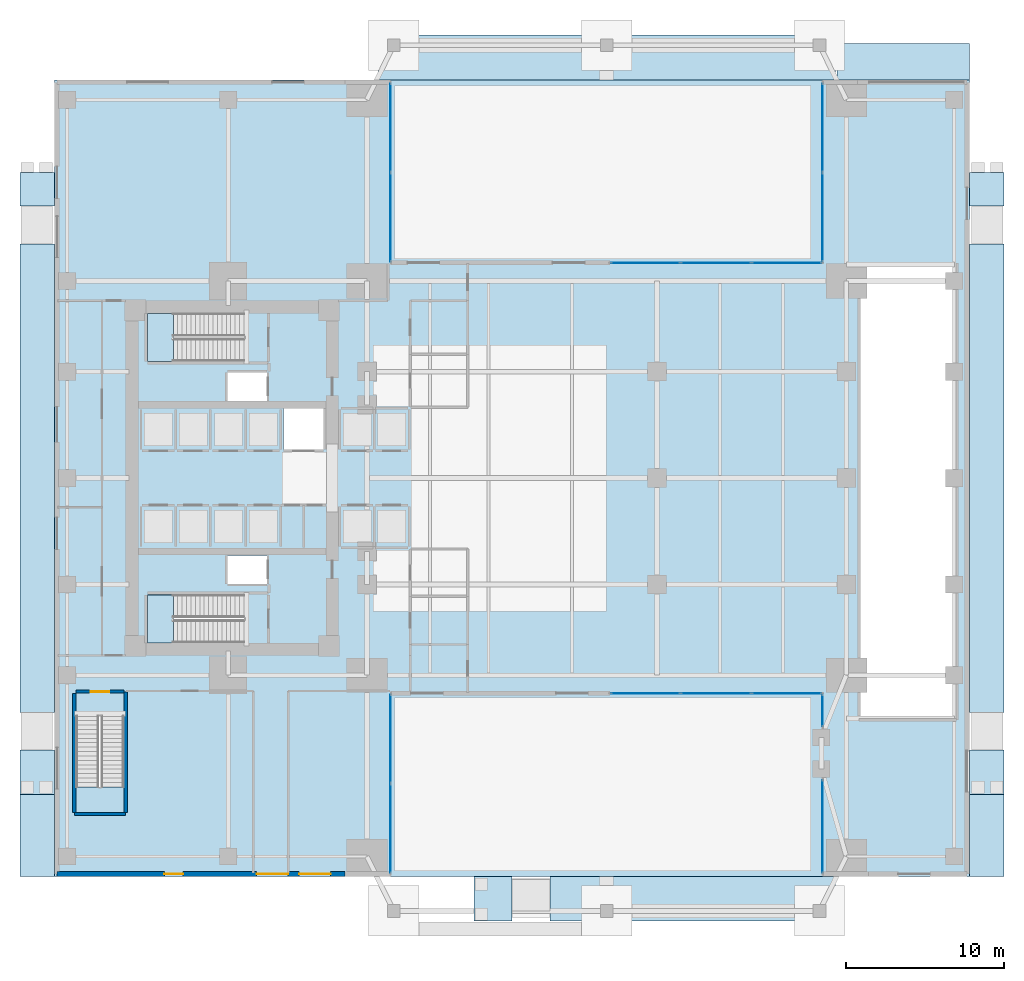
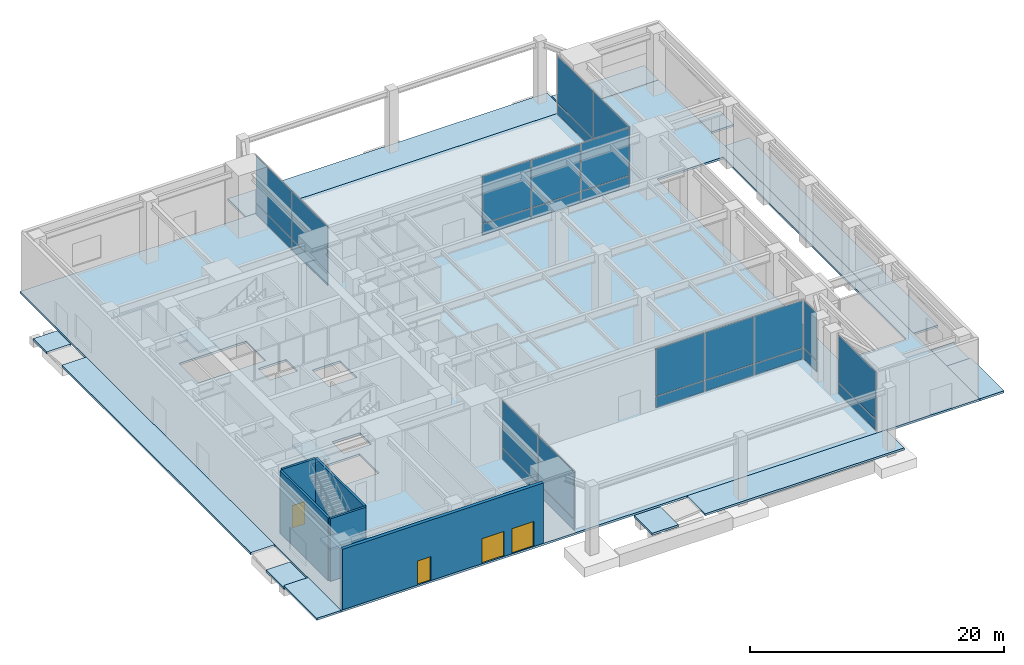
# One storey, part 8 of 17: 28 plates, 16 slabs, 5 walls, 4 doors, 4 openings, 10 elements without a shape of their own.
"""IFC4 building model written with IfcOpenShell, lengths in metres."""

from ifc_helpers import new_model, si_unit, direction, frame, frame_2d, origin, origin_2d, place, context, subcontext, project, spatial, polyline, rectangle, outline, extrude, material, layer, layer_set, type_object, element, fill, aggregate, save


model = new_model("IFC4")

# Units and contexts
model_context = context("Model", 3, precision=1e-05, world=origin(), true_north=direction((0.0, 1.0)))
body_context = subcontext(model_context, "Body", "Model", "MODEL_VIEW")
ifc_project = project(units=[si_unit("LENGTHUNIT", "METRE"), si_unit("AREAUNIT", "SQUARE_METRE"), si_unit("VOLUMEUNIT", "CUBIC_METRE"), si_unit("PLANEANGLEUNIT", "RADIAN"), si_unit("MASSUNIT", "GRAM", prefix="KILO")], contexts=[model_context])

# Site, building, storey
site_placement = place(None, origin())
site = spatial("IfcSite", under=ifc_project, at=site_placement, CompositionType="ELEMENT")
building_placement = place(site_placement, origin())
building = spatial("IfcBuilding", under=site, at=building_placement, Name="Kinhvarn Gate Tower", CompositionType="ELEMENT")
storey_placement = place(building_placement, origin())
storey = spatial("IfcBuildingStorey", under=building, at=storey_placement, Name="L00", CompositionType="ELEMENT", Elevation=0.0)

# Curtain wall, plates
ifc_material_1 = material(Name="Anodised aluminium AW-6063", Category="aluminium")
ifc_layer_1 = layer(ifc_material_1, 0.219970703125)
ifc_layer_set_1 = layer_set([ifc_layer_1], Name="Anodised aluminium AW-6063")
curtain_wall_type = type_object("IfcCurtainWallType", Name="CW-SYS-1", PredefinedType="NOTDEFINED", material=ifc_layer_set_1)
curtain_wall_1_placement = place(storey_placement, origin())
curtain_wall_1 = element("IfcCurtainWall", 1, at=curtain_wall_1_placement, inside=storey, type_object=curtain_wall_type, Name="Curtain Wall CW1 (L00)", PredefinedType="NOTDEFINED")
ifc_material_2 = material(Name="Clear low-e double glazing", Category="glass")
ifc_layer_2 = layer(ifc_material_2, 0.031982421875)
ifc_layer_set_2 = layer_set([ifc_layer_2], Name="Clear low-e double glazing")
plate_type = type_object("IfcPlateType", Name="CW-PNL-VIS", PredefinedType="CURTAIN_PANEL", material=ifc_layer_set_2)
plate_1_placement = place(storey_placement, frame((21.31005859375, 3.032470703125, 0.080078125), z_axis=(0.0, 0.0, 1.0), x_axis=(0.0, 1.0, 0.0)))
plate_1 = element("IfcPlate", 2, at=plate_1_placement, type_object=plate_type, Name="CW1 panel 1.1", PredefinedType="CURTAIN_PANEL", context=body_context, shape_type="SweptSolid", body=[
    extrude(rectangle(XDim=5.60498046875, YDim=0.031982421875, at=origin_2d()), origin(), (0.0, 0.0, 1.0), 1.030029296875),
])
plate_2_placement = place(storey_placement, frame((21.31005859375, 3.032470703125, 1.18994140625), z_axis=(0.0, 0.0, 1.0), x_axis=(0.0, 1.0, 0.0)))
plate_2 = element("IfcPlate", 3, at=plate_2_placement, type_object=plate_type, Name="CW1 panel 1.2", PredefinedType="CURTAIN_PANEL", context=body_context, shape_type="SweptSolid", body=[
    extrude(rectangle(XDim=5.60498046875, YDim=0.031982421875, at=origin_2d()), origin(), (0.0, 0.0, 1.0), 4.530029296875),
])
plate_3_placement = place(storey_placement, frame((21.31005859375, 8.717529296875, 0.080078125), z_axis=(0.0, 0.0, 1.0), x_axis=(0.0, 1.0, 0.0)))
plate_3 = element("IfcPlate", 4, at=plate_3_placement, type_object=plate_type, Name="CW1 panel 2.1", PredefinedType="CURTAIN_PANEL", context=body_context, shape_type="SweptSolid", body=[
    extrude(rectangle(XDim=5.60498046875, YDim=0.031982421875, at=origin_2d()), origin(), (0.0, 0.0, 1.0), 1.030029296875),
])
plate_4_placement = place(storey_placement, frame((21.31005859375, 8.717529296875, 1.18994140625), z_axis=(0.0, 0.0, 1.0), x_axis=(0.0, 1.0, 0.0)))
plate_4 = element("IfcPlate", 5, at=plate_4_placement, type_object=plate_type, Name="CW1 panel 2.2", PredefinedType="CURTAIN_PANEL", context=body_context, shape_type="SweptSolid", body=[
    extrude(rectangle(XDim=5.60498046875, YDim=0.031982421875, at=origin_2d()), origin(), (0.0, 0.0, 1.0), 4.530029296875),
])
aggregate(curtain_wall_1, [plate_1, plate_2, plate_3, plate_4])

curtain_wall_2_placement = place(storey_placement, origin())
curtain_wall_2 = element("IfcCurtainWall", 6, at=curtain_wall_2_placement, inside=storey, type_object=curtain_wall_type, Name="Curtain Wall CW1 (L00)", PredefinedType="NOTDEFINED")
plate_5_placement = place(storey_placement, frame((37.46826171875, 11.60009765625, 0.080078125), z_axis=(0.0, 0.0, 1.0), x_axis=(1.0, 0.0, 0.0)))
plate_5 = element("IfcPlate", 7, at=plate_5_placement, type_object=plate_type, Name="CW1 panel 1.1", PredefinedType="CURTAIN_PANEL", context=body_context, shape_type="SweptSolid", body=[
    extrude(rectangle(XDim=4.376708984375, YDim=0.031982421875, at=origin_2d()), origin(), (0.0, 0.0, 1.0), 1.030029296875),
])
plate_6_placement = place(storey_placement, frame((37.46826171875, 11.60009765625, 1.18994140625), z_axis=(0.0, 0.0, 1.0), x_axis=(1.0, 0.0, 0.0)))
plate_6 = element("IfcPlate", 8, at=plate_6_placement, type_object=plate_type, Name="CW1 panel 1.2", PredefinedType="CURTAIN_PANEL", context=body_context, shape_type="SweptSolid", body=[
    extrude(rectangle(XDim=4.376708984375, YDim=0.031982421875, at=origin_2d()), origin(), (0.0, 0.0, 1.0), 4.530029296875),
])
plate_7_placement = place(storey_placement, frame((41.945068359375, 11.60009765625, 0.080078125), z_axis=(0.0, 0.0, 1.0), x_axis=(1.0, 0.0, 0.0)))
plate_7 = element("IfcPlate", 9, at=plate_7_placement, type_object=plate_type, Name="CW1 panel 2.1", PredefinedType="CURTAIN_PANEL", context=body_context, shape_type="SweptSolid", body=[
    extrude(rectangle(XDim=4.416748046875, YDim=0.031982421875, at=origin_2d()), origin(), (0.0, 0.0, 1.0), 1.030029296875),
])
plate_8_placement = place(storey_placement, frame((41.945068359375, 11.60009765625, 1.18994140625), z_axis=(0.0, 0.0, 1.0), x_axis=(1.0, 0.0, 0.0)))
plate_8 = element("IfcPlate", 10, at=plate_8_placement, type_object=plate_type, Name="CW1 panel 2.2", PredefinedType="CURTAIN_PANEL", context=body_context, shape_type="SweptSolid", body=[
    extrude(rectangle(XDim=4.416748046875, YDim=0.031982421875, at=origin_2d()), origin(), (0.0, 0.0, 1.0), 4.530029296875),
])
plate_9_placement = place(storey_placement, frame((46.421630859375, 11.60009765625, 0.080078125), z_axis=(0.0, 0.0, 1.0), x_axis=(1.0, 0.0, 0.0)))
plate_9 = element("IfcPlate", 11, at=plate_9_placement, type_object=plate_type, Name="CW1 panel 3.1", PredefinedType="CURTAIN_PANEL", context=body_context, shape_type="SweptSolid", body=[
    extrude(rectangle(XDim=4.376708984375, YDim=0.031982421875, at=origin_2d()), origin(), (0.0, 0.0, 1.0), 1.030029296875),
])
plate_10_placement = place(storey_placement, frame((46.421630859375, 11.60009765625, 1.18994140625), z_axis=(0.0, 0.0, 1.0), x_axis=(1.0, 0.0, 0.0)))
plate_10 = element("IfcPlate", 12, at=plate_10_placement, type_object=plate_type, Name="CW1 panel 3.2", PredefinedType="CURTAIN_PANEL", context=body_context, shape_type="SweptSolid", body=[
    extrude(rectangle(XDim=4.376708984375, YDim=0.031982421875, at=origin_2d()), origin(), (0.0, 0.0, 1.0), 4.530029296875),
])
aggregate(curtain_wall_2, [plate_5, plate_6, plate_7, plate_8, plate_9, plate_10])

curtain_wall_3_placement = place(storey_placement, origin())
curtain_wall_3 = element("IfcCurtainWall", 13, at=curtain_wall_3_placement, inside=storey, type_object=curtain_wall_type, Name="Curtain Wall CW1 (L00)", PredefinedType="NOTDEFINED")
plate_11_placement = place(storey_placement, frame((48.68994140625, 10.514892578125, 0.080078125), z_axis=(0.0, 0.0, 1.0), x_axis=(0.0, -1.0, 0.0)))
plate_11 = element("IfcPlate", 14, at=plate_11_placement, type_object=plate_type, Name="CW1 panel 1.1", PredefinedType="CURTAIN_PANEL", context=body_context, shape_type="SweptSolid", body=[
    extrude(rectangle(XDim=2.010009765625, YDim=0.031982421875, at=origin_2d()), origin(), (0.0, 0.0, 1.0), 1.030029296875),
])
plate_12_placement = place(storey_placement, frame((48.68994140625, 10.514892578125, 1.18994140625), z_axis=(0.0, 0.0, 1.0), x_axis=(0.0, -1.0, 0.0)))
plate_12 = element("IfcPlate", 15, at=plate_12_placement, type_object=plate_type, Name="CW1 panel 1.2", PredefinedType="CURTAIN_PANEL", context=body_context, shape_type="SweptSolid", body=[
    extrude(rectangle(XDim=2.010009765625, YDim=0.031982421875, at=origin_2d()), origin(), (0.0, 0.0, 1.0), 4.530029296875),
])
aggregate(curtain_wall_3, [plate_11, plate_12])

curtain_wall_4_placement = place(storey_placement, origin())
curtain_wall_4 = element("IfcCurtainWall", 16, at=curtain_wall_4_placement, inside=storey, type_object=curtain_wall_type, Name="Curtain Wall CW1 (L00)", PredefinedType="NOTDEFINED")
plate_13_placement = place(storey_placement, frame((48.68994140625, 3.159912109375, 0.080078125), z_axis=(0.0, 0.0, 1.0), x_axis=(0.0, -1.0, 0.0)))
plate_13 = element("IfcPlate", 17, at=plate_13_placement, type_object=plate_type, Name="CW1 panel 1.1", PredefinedType="CURTAIN_PANEL", context=body_context, shape_type="SweptSolid", body=[
    extrude(rectangle(XDim=5.860107421875, YDim=0.031982421875, at=origin_2d()), origin(), (0.0, 0.0, 1.0), 1.030029296875),
])
plate_14_placement = place(storey_placement, frame((48.68994140625, 3.159912109375, 1.18994140625), z_axis=(0.0, 0.0, 1.0), x_axis=(0.0, -1.0, 0.0)))
plate_14 = element("IfcPlate", 18, at=plate_14_placement, type_object=plate_type, Name="CW1 panel 1.2", PredefinedType="CURTAIN_PANEL", context=body_context, shape_type="SweptSolid", body=[
    extrude(rectangle(XDim=5.860107421875, YDim=0.031982421875, at=origin_2d()), origin(), (0.0, 0.0, 1.0), 4.530029296875),
])
aggregate(curtain_wall_4, [plate_13, plate_14])

curtain_wall_5_placement = place(storey_placement, origin())
curtain_wall_5 = element("IfcCurtainWall", 19, at=curtain_wall_5_placement, inside=storey, type_object=curtain_wall_type, Name="Curtain Wall CW1 (L00)", PredefinedType="NOTDEFINED")
plate_15_placement = place(storey_placement, frame((48.68994140625, 47.467529296875, 0.080078125), z_axis=(0.0, 0.0, 1.0), x_axis=(0.0, -1.0, 0.0)))
plate_15 = element("IfcPlate", 20, at=plate_15_placement, type_object=plate_type, Name="CW1 panel 1.1", PredefinedType="CURTAIN_PANEL", context=body_context, shape_type="SweptSolid", body=[
    extrude(rectangle(XDim=5.60498046875, YDim=0.031982421875, at=origin_2d()), origin(), (0.0, 0.0, 1.0), 1.030029296875),
])
plate_16_placement = place(storey_placement, frame((48.68994140625, 47.467529296875, 1.18994140625), z_axis=(0.0, 0.0, 1.0), x_axis=(0.0, -1.0, 0.0)))
plate_16 = element("IfcPlate", 21, at=plate_16_placement, type_object=plate_type, Name="CW1 panel 1.2", PredefinedType="CURTAIN_PANEL", context=body_context, shape_type="SweptSolid", body=[
    extrude(rectangle(XDim=5.60498046875, YDim=0.031982421875, at=origin_2d()), origin(), (0.0, 0.0, 1.0), 4.530029296875),
])
plate_17_placement = place(storey_placement, frame((48.68994140625, 41.782470703125, 0.080078125), z_axis=(0.0, 0.0, 1.0), x_axis=(0.0, -1.0, 0.0)))
plate_17 = element("IfcPlate", 22, at=plate_17_placement, type_object=plate_type, Name="CW1 panel 2.1", PredefinedType="CURTAIN_PANEL", context=body_context, shape_type="SweptSolid", body=[
    extrude(rectangle(XDim=5.60498046875, YDim=0.031982421875, at=origin_2d()), origin(), (0.0, 0.0, 1.0), 1.030029296875),
])
plate_18_placement = place(storey_placement, frame((48.68994140625, 41.782470703125, 1.18994140625), z_axis=(0.0, 0.0, 1.0), x_axis=(0.0, -1.0, 0.0)))
plate_18 = element("IfcPlate", 23, at=plate_18_placement, type_object=plate_type, Name="CW1 panel 2.2", PredefinedType="CURTAIN_PANEL", context=body_context, shape_type="SweptSolid", body=[
    extrude(rectangle(XDim=5.60498046875, YDim=0.031982421875, at=origin_2d()), origin(), (0.0, 0.0, 1.0), 4.530029296875),
])
aggregate(curtain_wall_5, [plate_15, plate_16, plate_17, plate_18])

curtain_wall_6_placement = place(storey_placement, origin())
curtain_wall_6 = element("IfcCurtainWall", 24, at=curtain_wall_6_placement, inside=storey, type_object=curtain_wall_type, Name="Curtain Wall CW1 (L00)", PredefinedType="NOTDEFINED")
plate_19_placement = place(storey_placement, frame((46.421630859375, 38.89990234375, 0.080078125), z_axis=(0.0, 0.0, 1.0), x_axis=(-1.0, 0.0, 0.0)))
plate_19 = element("IfcPlate", 25, at=plate_19_placement, type_object=plate_type, Name="CW1 panel 1.1", PredefinedType="CURTAIN_PANEL", context=body_context, shape_type="SweptSolid", body=[
    extrude(rectangle(XDim=4.376708984375, YDim=0.031982421875, at=origin_2d()), origin(), (0.0, 0.0, 1.0), 1.030029296875),
])
plate_20_placement = place(storey_placement, frame((46.421630859375, 38.89990234375, 1.18994140625), z_axis=(0.0, 0.0, 1.0), x_axis=(-1.0, 0.0, 0.0)))
plate_20 = element("IfcPlate", 26, at=plate_20_placement, type_object=plate_type, Name="CW1 panel 1.2", PredefinedType="CURTAIN_PANEL", context=body_context, shape_type="SweptSolid", body=[
    extrude(rectangle(XDim=4.376708984375, YDim=0.031982421875, at=origin_2d()), origin(), (0.0, 0.0, 1.0), 4.530029296875),
])
plate_21_placement = place(storey_placement, frame((41.945068359375, 38.89990234375, 0.080078125), z_axis=(0.0, 0.0, 1.0), x_axis=(-1.0, 0.0, 0.0)))
plate_21 = element("IfcPlate", 27, at=plate_21_placement, type_object=plate_type, Name="CW1 panel 2.1", PredefinedType="CURTAIN_PANEL", context=body_context, shape_type="SweptSolid", body=[
    extrude(rectangle(XDim=4.416748046875, YDim=0.031982421875, at=origin_2d()), origin(), (0.0, 0.0, 1.0), 1.030029296875),
])
plate_22_placement = place(storey_placement, frame((41.945068359375, 38.89990234375, 1.18994140625), z_axis=(0.0, 0.0, 1.0), x_axis=(-1.0, 0.0, 0.0)))
plate_22 = element("IfcPlate", 28, at=plate_22_placement, type_object=plate_type, Name="CW1 panel 2.2", PredefinedType="CURTAIN_PANEL", context=body_context, shape_type="SweptSolid", body=[
    extrude(rectangle(XDim=4.416748046875, YDim=0.031982421875, at=origin_2d()), origin(), (0.0, 0.0, 1.0), 4.530029296875),
])
plate_23_placement = place(storey_placement, frame((37.46826171875, 38.89990234375, 0.080078125), z_axis=(0.0, 0.0, 1.0), x_axis=(-1.0, 0.0, 0.0)))
plate_23 = element("IfcPlate", 29, at=plate_23_placement, type_object=plate_type, Name="CW1 panel 3.1", PredefinedType="CURTAIN_PANEL", context=body_context, shape_type="SweptSolid", body=[
    extrude(rectangle(XDim=4.376708984375, YDim=0.031982421875, at=origin_2d()), origin(), (0.0, 0.0, 1.0), 1.030029296875),
])
plate_24_placement = place(storey_placement, frame((37.46826171875, 38.89990234375, 1.18994140625), z_axis=(0.0, 0.0, 1.0), x_axis=(-1.0, 0.0, 0.0)))
plate_24 = element("IfcPlate", 30, at=plate_24_placement, type_object=plate_type, Name="CW1 panel 3.2", PredefinedType="CURTAIN_PANEL", context=body_context, shape_type="SweptSolid", body=[
    extrude(rectangle(XDim=4.376708984375, YDim=0.031982421875, at=origin_2d()), origin(), (0.0, 0.0, 1.0), 4.530029296875),
])
aggregate(curtain_wall_6, [plate_19, plate_20, plate_21, plate_22, plate_23, plate_24])

curtain_wall_7_placement = place(storey_placement, origin())
curtain_wall_7 = element("IfcCurtainWall", 31, at=curtain_wall_7_placement, inside=storey, type_object=curtain_wall_type, Name="Curtain Wall CW1 (L00)", PredefinedType="NOTDEFINED")
plate_25_placement = place(storey_placement, frame((21.31005859375, 41.782470703125, 0.080078125), z_axis=(0.0, 0.0, 1.0), x_axis=(0.0, 1.0, 0.0)))
plate_25 = element("IfcPlate", 32, at=plate_25_placement, type_object=plate_type, Name="CW1 panel 1.1", PredefinedType="CURTAIN_PANEL", context=body_context, shape_type="SweptSolid", body=[
    extrude(rectangle(XDim=5.60498046875, YDim=0.031982421875, at=origin_2d()), origin(), (0.0, 0.0, 1.0), 1.030029296875),
])
plate_26_placement = place(storey_placement, frame((21.31005859375, 41.782470703125, 1.18994140625), z_axis=(0.0, 0.0, 1.0), x_axis=(0.0, 1.0, 0.0)))
plate_26 = element("IfcPlate", 33, at=plate_26_placement, type_object=plate_type, Name="CW1 panel 1.2", PredefinedType="CURTAIN_PANEL", context=body_context, shape_type="SweptSolid", body=[
    extrude(rectangle(XDim=5.60498046875, YDim=0.031982421875, at=origin_2d()), origin(), (0.0, 0.0, 1.0), 4.530029296875),
])
plate_27_placement = place(storey_placement, frame((21.31005859375, 47.467529296875, 0.080078125), z_axis=(0.0, 0.0, 1.0), x_axis=(0.0, 1.0, 0.0)))
plate_27 = element("IfcPlate", 34, at=plate_27_placement, type_object=plate_type, Name="CW1 panel 2.1", PredefinedType="CURTAIN_PANEL", context=body_context, shape_type="SweptSolid", body=[
    extrude(rectangle(XDim=5.60498046875, YDim=0.031982421875, at=origin_2d()), origin(), (0.0, 0.0, 1.0), 1.030029296875),
])
plate_28_placement = place(storey_placement, frame((21.31005859375, 47.467529296875, 1.18994140625), z_axis=(0.0, 0.0, 1.0), x_axis=(0.0, 1.0, 0.0)))
plate_28 = element("IfcPlate", 35, at=plate_28_placement, type_object=plate_type, Name="CW1 panel 2.2", PredefinedType="CURTAIN_PANEL", context=body_context, shape_type="SweptSolid", body=[
    extrude(rectangle(XDim=5.60498046875, YDim=0.031982421875, at=origin_2d()), origin(), (0.0, 0.0, 1.0), 4.530029296875),
])
aggregate(curtain_wall_7, [plate_25, plate_26, plate_27, plate_28])

# Slabs
ifc_material_3 = material(Name="Concrete C40/50", Category="concrete")
ifc_layer_3 = layer(ifc_material_3, 0.25)
ifc_layer_set_3 = layer_set([ifc_layer_3], Name="Concrete C40/50")
slab_type_1 = type_object("IfcSlabType", Name="SLB-BASE-250", PredefinedType="BASESLAB", material=ifc_layer_set_3)
slab_1_placement = place(storey_placement, frame((0.0, 0.0, -0.25)))
element("IfcSlab", 36, at=slab_1_placement, inside=storey, type_object=slab_type_1, Name="Exterior Plaza Apron BAS-N-RMP", PredefinedType="BASESLAB", context=body_context, shape_type="SweptSolid", body=[
    extrude(outline(polyline([(49.60009765625, 50.5), (58.0, 50.5), (58.0, 52.800048828125), (49.60009765625, 52.800048828125), (49.60009765625, 50.5)])), origin(), (0.0, 0.0, 1.0), 0.25),
])
slab_2_placement = place(storey_placement, frame((0.0, 0.0, -0.39990234375)))
element("IfcSlab", 37, at=slab_2_placement, inside=storey, type_object=slab_type_1, Name="Exterior Plaza Apron BAS-W-S", PredefinedType="BASESLAB", context=body_context, shape_type="SweptSolid", body=[
    extrude(outline(polyline([(-2.199951171875, 5.199951171875), (0.0, 5.199951171875), (0.0, 8.0), (-2.199951171875, 8.0), (-2.199951171875, 5.199951171875)])), origin(), (0.0, 0.0, 1.0), 0.199951171875),
])
slab_3_placement = place(storey_placement, frame((0.0, 0.0, -0.39990234375)))
element("IfcSlab", 38, at=slab_3_placement, inside=storey, type_object=slab_type_1, Name="Exterior Plaza Apron BAS-W-N", PredefinedType="BASESLAB", context=body_context, shape_type="SweptSolid", body=[
    extrude(outline(polyline([(-2.199951171875, 42.5), (0.0, 42.5), (0.0, 44.6201171875), (-2.199951171875, 44.6201171875), (-2.199951171875, 42.5)])), origin(), (0.0, 0.0, 1.0), 0.199951171875),
])
slab_4_placement = place(storey_placement, frame((0.0, 0.0, -0.39990234375)))
element("IfcSlab", 39, at=slab_4_placement, inside=storey, type_object=slab_type_1, Name="Exterior Plaza Apron BAS-E-S", PredefinedType="BASESLAB", context=body_context, shape_type="SweptSolid", body=[
    extrude(outline(polyline([(58.0, 5.199951171875), (60.199951171875, 5.199951171875), (60.199951171875, 8.0), (58.0, 8.0), (58.0, 5.199951171875)])), origin(), (0.0, 0.0, 1.0), 0.199951171875),
])
slab_5_placement = place(storey_placement, frame((0.0, 0.0, -0.39990234375)))
element("IfcSlab", 40, at=slab_5_placement, inside=storey, type_object=slab_type_1, Name="Exterior Plaza Apron BAS-E-N", PredefinedType="BASESLAB", context=body_context, shape_type="SweptSolid", body=[
    extrude(outline(polyline([(58.0, 42.5), (60.199951171875, 42.5), (60.199951171875, 44.6201171875), (58.0, 44.6201171875), (58.0, 42.5)])), origin(), (0.0, 0.0, 1.0), 0.199951171875),
])
slab_6_placement = place(storey_placement, frame((0.0, 0.0, -0.39990234375)))
element("IfcSlab", 41, at=slab_6_placement, inside=storey, type_object=slab_type_1, Name="Exterior Plaza Apron BAS-S-W", PredefinedType="BASESLAB", context=body_context, shape_type="SweptSolid", body=[
    extrude(outline(polyline([(26.60009765625, -2.85009765625), (29.0, -2.85009765625), (29.0, 0.0), (26.60009765625, 0.0), (26.60009765625, -2.85009765625)])), origin(), (0.0, 0.0, 1.0), 0.199951171875),
])
ifc_layer_4 = layer(ifc_material_3, 0.199951171875)
ifc_layer_set_4 = layer_set([ifc_layer_4], Name="Concrete C40/50")
slab_type_2 = type_object("IfcSlabType", Name="SLB-FLR-200", PredefinedType="FLOOR", material=ifc_layer_set_4)
slab_7_placement = place(storey_placement, frame((0.0, 0.0, -0.199951171875)))
element("IfcSlab", 42, at=slab_7_placement, inside=storey, type_object=slab_type_2, Name="Suspended Floor Slab L00", PredefinedType="FLOOR", context=body_context, shape_type="SweptSolid", body=[
    extrude(outline(polyline([(0.0, 0.0), (58.0, 0.0), (58.0, 50.5), (0.0, 50.5), (0.0, 0.0)]), holes=[polyline([(5.89990234375, 14.800048828125), (12.0, 14.800048828125), (12.0, 17.85009765625), (5.89990234375, 17.85009765625), (5.89990234375, 14.800048828125)]), polyline([(5.89990234375, 32.64990234375), (12.0, 32.64990234375), (12.0, 35.699951171875), (5.89990234375, 35.699951171875), (5.89990234375, 32.64990234375)]), polyline([(1.35009765625, 4.050048828125), (4.39990234375, 4.050048828125), (4.39990234375, 10.14990234375), (1.35009765625, 10.14990234375), (1.35009765625, 4.050048828125)]), polyline([(14.5, 27.050048828125), (17.050048828125, 27.050048828125), (17.050048828125, 29.64990234375), (14.5, 29.64990234375), (14.5, 27.050048828125)]), polyline([(10.949951171875, 18.550048828125), (13.449951171875, 18.550048828125), (13.449951171875, 20.35009765625), (10.949951171875, 20.35009765625), (10.949951171875, 18.550048828125)]), polyline([(10.949951171875, 30.14990234375), (13.449951171875, 30.14990234375), (13.449951171875, 31.949951171875), (10.949951171875, 31.949951171875), (10.949951171875, 30.14990234375)]), polyline([(51.10009765625, 10.0), (57.10009765625, 10.0), (57.10009765625, 38.800048828125), (51.10009765625, 38.800048828125), (51.10009765625, 10.0)])]), origin(), (0.0, 0.0, 1.0), 0.199951171875),
])
ifc_material_4 = material(Name="Honed granite architectural paving", Category="masonry")
ifc_layer_5 = layer(ifc_material_4, 0.199951171875)
ifc_layer_set_5 = layer_set([ifc_layer_5], Name="Honed granite architectural paving")
slab_type_3 = type_object("IfcSlabType", Name="SLB-PAV-200", PredefinedType="USERDEFINED", material=ifc_layer_set_5)
slab_8_placement = place(storey_placement, frame((0.0, 0.0, -0.199951171875)))
element("IfcSlab", 43, at=slab_8_placement, inside=storey, type_object=slab_type_3, Name="Exterior Plaza Apron PAV-W-M", ObjectType="PAVING", PredefinedType="USERDEFINED", context=body_context, shape_type="SweptSolid", body=[
    extrude(outline(polyline([(-2.199951171875, 10.39990234375), (0.0, 10.39990234375), (0.0, 40.10009765625), (-2.199951171875, 40.10009765625), (-2.199951171875, 10.39990234375)])), origin(), (0.0, 0.0, 1.0), 0.199951171875),
])
slab_9_placement = place(storey_placement, frame((0.0, 0.0, -0.199951171875)))
element("IfcSlab", 44, at=slab_9_placement, inside=storey, type_object=slab_type_3, Name="Exterior Plaza Apron PAV-W-S0", ObjectType="PAVING", PredefinedType="USERDEFINED", context=body_context, shape_type="SweptSolid", body=[
    extrude(outline(polyline([(-2.199951171875, 0.0), (0.0, 0.0), (0.0, 5.199951171875), (-2.199951171875, 5.199951171875), (-2.199951171875, 0.0)])), origin(), (0.0, 0.0, 1.0), 0.199951171875),
])
slab_10_placement = place(storey_placement, frame((0.0, 0.0, -0.199951171875)))
element("IfcSlab", 45, at=slab_10_placement, inside=storey, type_object=slab_type_3, Name="Exterior Plaza Apron PAV-E-M", ObjectType="PAVING", PredefinedType="USERDEFINED", context=body_context, shape_type="SweptSolid", body=[
    extrude(outline(polyline([(58.0, 10.39990234375), (60.199951171875, 10.39990234375), (60.199951171875, 40.10009765625), (58.0, 40.10009765625), (58.0, 10.39990234375)])), origin(), (0.0, 0.0, 1.0), 0.199951171875),
])
slab_11_placement = place(storey_placement, frame((0.0, 0.0, -0.199951171875)))
element("IfcSlab", 46, at=slab_11_placement, inside=storey, type_object=slab_type_3, Name="Exterior Plaza Apron PAV-E-S0", ObjectType="PAVING", PredefinedType="USERDEFINED", context=body_context, shape_type="SweptSolid", body=[
    extrude(outline(polyline([(58.0, 0.0), (60.199951171875, 0.0), (60.199951171875, 5.199951171875), (58.0, 5.199951171875), (58.0, 0.0)])), origin(), (0.0, 0.0, 1.0), 0.199951171875),
])
slab_12_placement = place(storey_placement, frame((0.0, 0.0, -0.199951171875)))
element("IfcSlab", 47, at=slab_12_placement, inside=storey, type_object=slab_type_3, Name="Exterior Plaza Apron PAV-S-C", ObjectType="PAVING", PredefinedType="USERDEFINED", context=body_context, shape_type="SweptSolid", body=[
    extrude(outline(polyline([(31.39990234375, -2.85009765625), (49.5, -2.85009765625), (49.5, 0.0), (31.39990234375, 0.0), (31.39990234375, -2.85009765625)])), origin(), (0.0, 0.0, 1.0), 0.199951171875),
])
slab_13_placement = place(storey_placement, frame((0.0, 0.0, -0.199951171875)))
element("IfcSlab", 48, at=slab_13_placement, inside=storey, type_object=slab_type_3, Name="Exterior Plaza Apron PAV-N-C", ObjectType="PAVING", PredefinedType="USERDEFINED", context=body_context, shape_type="SweptSolid", body=[
    extrude(outline(polyline([(20.5, 50.5), (49.5, 50.5), (49.5, 53.35009765625), (20.5, 53.35009765625), (20.5, 50.5)])), origin(), (0.0, 0.0, 1.0), 0.199951171875),
])

# Stair, slab
stair_type = type_object("IfcStairType", Name="STR-DLG-176", PredefinedType="HALF_TURN_STAIR", material=ifc_material_3)
stair_1_placement = place(storey_placement, origin())
stair_1 = element("IfcStair", 49, at=stair_1_placement, inside=storey, type_object=stair_type, Name="L00 Core Smokeproof Exit Stair ST1", PredefinedType="HALF_TURN_STAIR")
ifc_layer_6 = layer(ifc_material_3, 0.199951171875)
ifc_layer_set_6 = layer_set([ifc_layer_6], Name="Concrete C40/50")
slab_type_4 = type_object("IfcSlabType", Name="SLB-ST-LND", PredefinedType="LANDING", material=ifc_layer_set_6)
slab_14_placement = place(storey_placement, frame((0.0, 0.0, 2.800048828125)))
slab_14 = element("IfcSlab", 50, at=slab_14_placement, type_object=slab_type_4, Name="ST1 landing 1", PredefinedType="LANDING", context=body_context, shape_type="SweptSolid", body=[
    extrude(outline(polyline([(7.52001953125, 17.85009765625), (5.89990234375, 17.85009765625), (5.89990234375, 14.800048828125), (7.52001953125, 14.800048828125), (7.52001953125, 17.85009765625)])), origin(), (0.0, 0.0, 1.0), 0.199951171875),
])
aggregate(stair_1, [slab_14])

stair_2_placement = place(storey_placement, origin())
stair_2 = element("IfcStair", 51, at=stair_2_placement, inside=storey, type_object=stair_type, Name="L00 Core Smokeproof Exit Stair ST2", PredefinedType="HALF_TURN_STAIR")
slab_15_placement = place(storey_placement, frame((0.0, 0.0, 2.800048828125)))
slab_15 = element("IfcSlab", 52, at=slab_15_placement, type_object=slab_type_4, Name="ST2 landing 1", PredefinedType="LANDING", context=body_context, shape_type="SweptSolid", body=[
    extrude(outline(polyline([(7.52001953125, 35.699951171875), (5.89990234375, 35.699951171875), (5.89990234375, 32.64990234375), (7.52001953125, 32.64990234375), (7.52001953125, 35.699951171875)])), origin(), (0.0, 0.0, 1.0), 0.199951171875),
])
aggregate(stair_2, [slab_15])

stair_3_placement = place(storey_placement, origin())
stair_3 = element("IfcStair", 53, at=stair_3_placement, inside=storey, type_object=stair_type, Name="L00 Podium & Basement Protected Exit Stair ST3", PredefinedType="HALF_TURN_STAIR")
slab_16_placement = place(storey_placement, frame((0.0, 0.0, 2.800048828125)))
slab_16 = element("IfcSlab", 54, at=slab_16_placement, type_object=slab_type_4, Name="ST3 landing 1", PredefinedType="LANDING", context=body_context, shape_type="SweptSolid", body=[
    extrude(outline(polyline([(1.35009765625, 5.669921875), (1.35009765625, 4.050048828125), (4.39990234375, 4.050048828125), (4.39990234375, 5.669921875), (1.35009765625, 5.669921875)])), origin(), (0.0, 0.0, 1.0), 0.199951171875),
])
aggregate(stair_3, [slab_16])

# Wall, openings, doors
ifc_material_5 = material(Name="Precast white architectural concrete C40/50", Category="concrete")
ifc_layer_7 = layer(ifc_material_5, 0.300048828125)
ifc_layer_set_7 = layer_set([ifc_layer_7], Name="Precast white architectural concrete C40/50")
wall_type_1 = type_object("IfcWallType", Name="WL-EXT-300", PredefinedType="SOLIDWALL", material=ifc_layer_set_7)
wall_1_placement = place(storey_placement, frame((0.14990234375, 0.14990234375, 0.0), z_axis=(0.0, 0.0, 1.0), x_axis=(1.0, 0.0, 0.0)))
wall_1 = element("IfcWall", 55, at=wall_1_placement, inside=storey, type_object=wall_type_1, Name="Exterior Solidwall Wall EW-300 (L00 South-West)", PredefinedType="SOLIDWALL", context=body_context, shape_type="SweptSolid", body=[
    extrude(rectangle(XDim=18.25, YDim=0.300048828125, at=frame_2d((9.125, 0.0))), origin(), (0.0, 0.0, 1.0), 5.800048828125),
])
opening_1_placement = place(wall_1_placement, frame((6.800048828125, 0.0, 0.0)))
opening_1 = element("IfcOpeningElement", 56, at=opening_1_placement, cuts=wall_1, Name="Opening ED-03", PredefinedType="OPENING", context=body_context, shape_type="SweptSolid", body=[
    extrude(rectangle(XDim=1.199951171875, YDim=2.300048828125, at=frame_2d((0.60009765625, 1.14990234375))), frame((0.0, 0.16015625, 0.0), z_axis=(0.0, -1.0, 0.0), x_axis=(1.0, 0.0, 0.0)), (0.0, 0.0, 1.0), 0.320068359375),
])
opening_2_placement = place(wall_1_placement, frame((12.64990234375, 0.0, 0.0)))
opening_2 = element("IfcOpeningElement", 57, at=opening_2_placement, cuts=wall_1, Name="Opening ED-01", PredefinedType="OPENING", context=body_context, shape_type="SweptSolid", body=[
    extrude(rectangle(XDim=2.0, YDim=2.39990234375, at=frame_2d((1.0, 1.199951171875))), frame((0.0, 0.16015625, 0.0), z_axis=(0.0, -1.0, 0.0), x_axis=(1.0, 0.0, 0.0)), (0.0, 0.0, 1.0), 0.320068359375),
])
opening_3_placement = place(wall_1_placement, frame((15.35009765625, 0.0, 0.0)))
opening_3 = element("IfcOpeningElement", 58, at=opening_3_placement, cuts=wall_1, Name="Opening ED-01", PredefinedType="OPENING", context=body_context, shape_type="SweptSolid", body=[
    extrude(rectangle(XDim=2.0, YDim=2.39990234375, at=frame_2d((1.0, 1.199951171875))), frame((0.0, 0.16015625, 0.0), z_axis=(0.0, -1.0, 0.0), x_axis=(1.0, 0.0, 0.0)), (0.0, 0.0, 1.0), 0.320068359375),
])
door_type_1 = type_object("IfcDoorType", Name="DR-EXT-EXIT", OperationType="NOTDEFINED", PredefinedType="DOOR", material=ifc_material_1)
door_1_placement = place(opening_2_placement, frame((2.0, 0.0, 0.0), z_axis=(0.0, 0.0, 1.0), x_axis=(-1.0, 0.0, 0.0)))
door_1 = element("IfcDoor", 59, at=door_1_placement, inside=storey, type_object=door_type_1, Name="Final Exit Discharge Door ST1 and ST3", OperationType="DOUBLE_DOOR_SINGLE_SWING", OverallHeight=2.39990234375, OverallWidth=2.0, PredefinedType="DOOR", context=body_context, shape_type="SweptSolid", body=[
    extrude(rectangle(XDim=2.0, YDim=2.39990234375, at=frame_2d((1.0, 1.199951171875))), frame((0.0, 0.02490234375, 0.0), z_axis=(0.0, -1.0, 0.0), x_axis=(1.0, 0.0, 0.0)), (0.0, 0.0, 1.0), 0.050048828125),
])
fill(opening_2, door_1)
door_2_placement = place(opening_3_placement, frame((2.0, 0.0, 0.0), z_axis=(0.0, 0.0, 1.0), x_axis=(-1.0, 0.0, 0.0)))
door_2 = element("IfcDoor", 60, at=door_2_placement, inside=storey, type_object=door_type_1, Name="South-West Retail Street Entrance Door", OperationType="DOUBLE_DOOR_SINGLE_SWING", OverallHeight=2.39990234375, OverallWidth=2.0, PredefinedType="DOOR", context=body_context, shape_type="SweptSolid", body=[
    extrude(rectangle(XDim=2.0, YDim=2.39990234375, at=frame_2d((1.0, 1.199951171875))), frame((0.0, 0.02490234375, 0.0), z_axis=(0.0, -1.0, 0.0), x_axis=(1.0, 0.0, 0.0)), (0.0, 0.0, 1.0), 0.050048828125),
])
fill(opening_3, door_2)
ifc_material_6 = material(Name="Steel S355", Category="steel")
door_type_2 = type_object("IfcDoorType", Name="DR-EXT-FCC", OperationType="NOTDEFINED", PredefinedType="DOOR", material=ifc_material_6)
door_3_placement = place(opening_1_placement, frame((1.199951171875, 0.0, 0.0), z_axis=(0.0, 0.0, 1.0), x_axis=(-1.0, 0.0, 0.0)))
door_3 = element("IfcDoor", 61, at=door_3_placement, inside=storey, type_object=door_type_2, Name="Fire Command Centre Grade Access Door", OperationType="SINGLE_SWING_LEFT", OverallHeight=2.300048828125, OverallWidth=1.199951171875, PredefinedType="DOOR", context=body_context, shape_type="SweptSolid", body=[
    extrude(rectangle(XDim=1.199951171875, YDim=2.300048828125, at=frame_2d((0.60009765625, 1.14990234375))), frame((0.0, 0.02490234375, 0.0), z_axis=(0.0, -1.0, 0.0), x_axis=(1.0, 0.0, 0.0)), (0.0, 0.0, 1.0), 0.050048828125),
])
fill(opening_1, door_3)

# Walls
ifc_layer_8 = layer(ifc_material_3, 0.199951171875)
ifc_layer_set_8 = layer_set([ifc_layer_8], Name="Concrete C40/50")
wall_type_2 = type_object("IfcWallType", Name="WL-SHF-200", PredefinedType="SOLIDWALL", material=ifc_layer_set_8)
wall_2_placement = place(storey_placement, frame((1.25, 3.949951171875, 0.0), z_axis=(0.0, 0.0, 1.0), x_axis=(1.0, 0.0, 0.0)))
element("IfcWall", 62, at=wall_2_placement, inside=storey, type_object=wall_type_2, Name="Stair ST3 South Shaft Wall (L00)", PredefinedType="SOLIDWALL", context=body_context, shape_type="SweptSolid", body=[
    extrude(rectangle(XDim=3.25, YDim=0.199951171875, at=frame_2d((1.625, 0.0))), origin(), (0.0, 0.0, 1.0), 6.0),
])
wall_3_placement = place(storey_placement, frame((1.239990234375, 4.050048828125, 0.0), z_axis=(0.0, 0.0, 1.0), x_axis=(0.0, 1.0, 0.0)))
element("IfcWall", 63, at=wall_3_placement, inside=storey, type_object=wall_type_2, Name="Stair ST3 West Shaft Wall (L00)", PredefinedType="SOLIDWALL", context=body_context, shape_type="SweptSolid", body=[
    extrude(rectangle(XDim=7.550048828125, YDim=0.199951171875, at=frame_2d((3.77490234375, 0.0))), origin(), (0.0, 0.0, 1.0), 6.0),
])
wall_4_placement = place(storey_placement, frame((4.510009765625, 4.050048828125, 0.0), z_axis=(0.0, 0.0, 1.0), x_axis=(0.0, 1.0, 0.0)))
element("IfcWall", 64, at=wall_4_placement, inside=storey, type_object=wall_type_2, Name="Stair ST3 East Shaft Wall (L00)", PredefinedType="SOLIDWALL", context=body_context, shape_type="SweptSolid", body=[
    extrude(rectangle(XDim=7.64990234375, YDim=0.199951171875, at=frame_2d((3.824951171875, 0.0))), origin(), (0.0, 0.0, 1.0), 6.0),
])

# Wall, opening, door
wall_5_placement = place(storey_placement, frame((1.35009765625, 11.7099609375, 0.0), z_axis=(0.0, 0.0, 1.0), x_axis=(1.0, 0.0, 0.0)))
wall_5 = element("IfcWall", 65, at=wall_5_placement, inside=storey, type_object=wall_type_2, Name="Stair ST3 North Entry Wall (L00)", PredefinedType="SOLIDWALL", context=body_context, shape_type="SweptSolid", body=[
    extrude(rectangle(XDim=3.0498046875, YDim=0.199951171875, at=frame_2d((1.52490234375, 0.0))), origin(), (0.0, 0.0, 1.0), 6.0),
])
opening_4_placement = place(wall_5_placement, frame((0.949951171875, 0.0, 0.0)))
opening_4 = element("IfcOpeningElement", 66, at=opening_4_placement, cuts=wall_5, Name="Opening FD-01", PredefinedType="OPENING", context=body_context, shape_type="SweptSolid", body=[
    extrude(rectangle(XDim=1.14990234375, YDim=2.14990234375, at=frame_2d((0.574951171875, 1.074951171875))), frame((0.0, 0.10986328125, 0.0), z_axis=(0.0, -1.0, 0.0), x_axis=(1.0, 0.0, 0.0)), (0.0, 0.0, 1.0), 0.219970703125),
])
door_type_3 = type_object("IfcDoorType", Name="DR-ST-1150", OperationType="NOTDEFINED", PredefinedType="DOOR", material=ifc_material_1)
door_4_placement = place(opening_4_placement, origin())
door_4 = element("IfcDoor", 67, at=door_4_placement, inside=storey, type_object=door_type_3, Name="Exit Stair ST3 Fire Door (L00)", OperationType="SINGLE_SWING_LEFT", OverallHeight=2.14990234375, OverallWidth=1.14990234375, PredefinedType="DOOR", context=body_context, shape_type="SweptSolid", body=[
    extrude(rectangle(XDim=1.14990234375, YDim=2.14990234375, at=frame_2d((0.574951171875, 1.074951171875))), frame((0.0, 0.02490234375, 0.0), z_axis=(0.0, -1.0, 0.0), x_axis=(1.0, 0.0, 0.0)), (0.0, 0.0, 1.0), 0.050048828125),
])
fill(opening_4, door_4)

save(model, "model.ifc")
